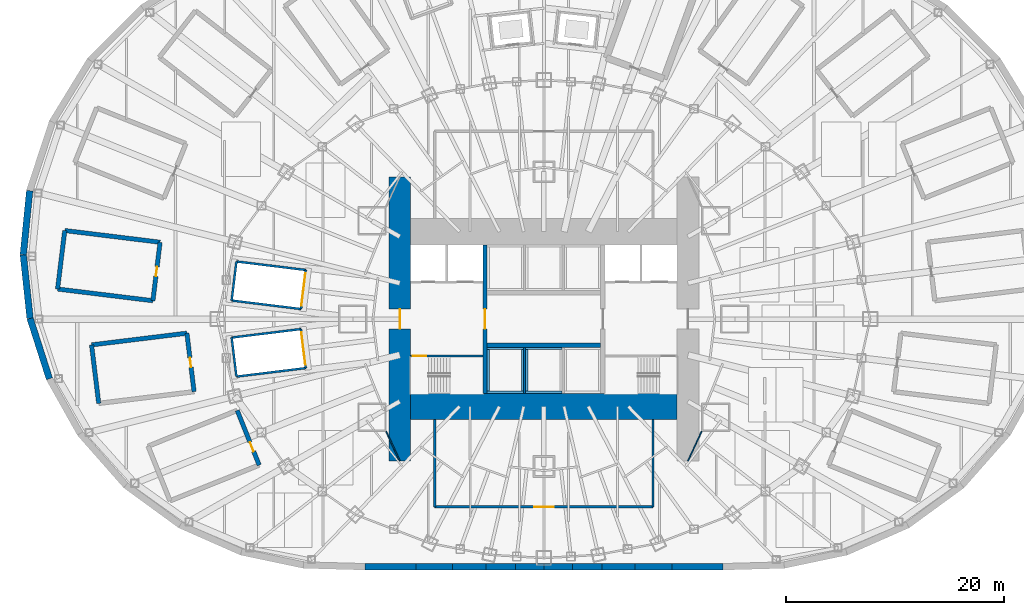
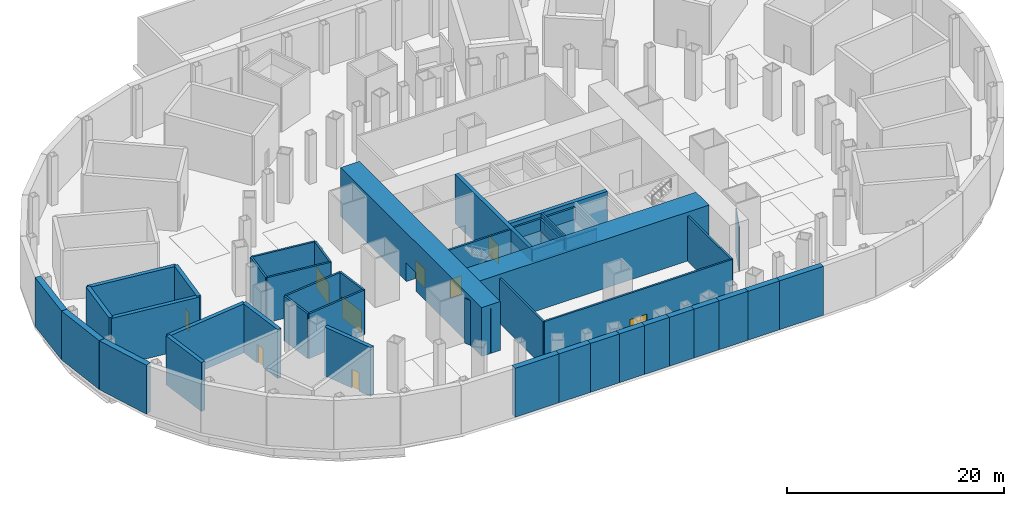
# One storey, part 10 of 19: 47 walls, 9 doors, 9 openings.
"""IFC4 building model written with IfcOpenShell, lengths in metres."""

from ifc_helpers import new_model, si_unit, direction, frame, frame_2d, origin, place, context, subcontext, project, spatial, rectangle, extrude, material, layer, layer_set, type_object, element, fill, save


model = new_model("IFC4")

# Units and contexts
model_context = context("Model", 3, precision=1e-05, world=origin(), true_north=direction((0.0, 1.0)))
body_context = subcontext(model_context, "Body", "Model", "MODEL_VIEW")
ifc_project = project(units=[si_unit("LENGTHUNIT", "METRE"), si_unit("AREAUNIT", "SQUARE_METRE"), si_unit("VOLUMEUNIT", "CUBIC_METRE"), si_unit("PLANEANGLEUNIT", "RADIAN"), si_unit("MASSUNIT", "GRAM", prefix="KILO")], contexts=[model_context])

# Site, building, storey
site_placement = place(None, origin())
site = spatial("IfcSite", under=ifc_project, at=site_placement, CompositionType="ELEMENT")
building_placement = place(site_placement, origin())
building = spatial("IfcBuilding", under=site, at=building_placement, Name="Lantaw Convention Tower", CompositionType="ELEMENT")
storey_placement = place(building_placement, frame((0.0, 0.0, -5.5)))
storey = spatial("IfcBuildingStorey", under=building, at=storey_placement, Name="B1", CompositionType="ELEMENT", Elevation=-5.5)

# Walls
ifc_material_1 = material(Name="Concrete C40/50", Category="concrete")
ifc_layer_1 = layer(ifc_material_1, 0.60009765625)
ifc_layer_set_1 = layer_set([ifc_layer_1], Name="Basement wall 600")
wall_type_1 = type_object("IfcWallType", Name="Basement wall 600", PredefinedType="SOLIDWALL", material=ifc_layer_set_1)
wall_1_placement = place(storey_placement, frame((-47.114501953125, 11.758056640625, 0.0), z_axis=(0.0, 0.0, 1.0), x_axis=(-0.099068856923, -0.99508058045, 0.0)))
element("IfcWall", 1, at=wall_1_placement, inside=storey, type_object=wall_type_1, Name="Basement retaining wall 23", PredefinedType="SOLIDWALL", context=body_context, shape_type="SweptSolid", body=[
    extrude(rectangle(XDim=5.892333984375, YDim=0.60009765625, at=frame_2d((2.9462890625, 0.0))), origin(), (0.0, 0.0, 1.0), 5.5),
])
wall_2_placement = place(storey_placement, frame((-47.6982421875, 5.894775390625, 0.0), z_axis=(0.0, 0.0, 1.0), x_axis=(0.105848228596, -0.994382296958, 0.0)))
element("IfcWall", 2, at=wall_2_placement, inside=storey, type_object=wall_type_1, Name="Basement retaining wall 24", PredefinedType="SOLIDWALL", context=body_context, shape_type="SweptSolid", body=[
    extrude(rectangle(XDim=5.865478515625, YDim=0.60009765625, at=frame_2d((2.9326171875, 0.0))), origin(), (0.0, 0.0, 1.0), 5.5),
])
wall_3_placement = place(storey_placement, frame((-47.077392578125, 0.062255859375, 0.0), z_axis=(0.0, 0.0, 1.0), x_axis=(0.304958517607, -0.9523656349, 0.0)))
element("IfcWall", 3, at=wall_3_placement, inside=storey, type_object=wall_type_1, Name="Basement retaining wall 25", PredefinedType="SOLIDWALL", context=body_context, shape_type="SweptSolid", body=[
    extrude(rectangle(XDim=5.8154296875, YDim=0.60009765625, at=frame_2d((2.90771484375, 0.0))), origin(), (0.0, 0.0, 1.0), 5.5),
])
wall_4_placement = place(storey_placement, frame((-16.4013671875, -22.699951171875, 0.0), z_axis=(0.0, 0.0, 1.0), x_axis=(1.0, 0.0, 0.0)))
element("IfcWall", 4, at=wall_4_placement, inside=storey, type_object=wall_type_1, Name="Basement retaining wall 32", PredefinedType="SOLIDWALL", context=body_context, shape_type="SweptSolid", body=[
    extrude(rectangle(XDim=4.682373046875, YDim=0.60009765625, at=frame_2d((2.34130859375, 0.0))), origin(), (0.0, 0.0, 1.0), 5.5),
])
wall_5_placement = place(storey_placement, frame((-11.718994140625, -22.699951171875, 0.0), z_axis=(0.0, 0.0, 1.0), x_axis=(1.0, 0.0, 0.0)))
element("IfcWall", 5, at=wall_5_placement, inside=storey, type_object=wall_type_1, Name="Basement retaining wall 33", PredefinedType="SOLIDWALL", context=body_context, shape_type="SweptSolid", body=[
    extrude(rectangle(XDim=3.34765625, YDim=0.60009765625, at=frame_2d((1.673828125, 0.0))), origin(), (0.0, 0.0, 1.0), 5.5),
])
wall_6_placement = place(storey_placement, frame((-8.371337890625, -22.699951171875, 0.0), z_axis=(0.0, 0.0, 1.0), x_axis=(1.0, 0.0, 0.0)))
element("IfcWall", 6, at=wall_6_placement, inside=storey, type_object=wall_type_1, Name="Basement retaining wall 34", PredefinedType="SOLIDWALL", context=body_context, shape_type="SweptSolid", body=[
    extrude(rectangle(XDim=3.061279296875, YDim=0.60009765625, at=frame_2d((1.53076171875, 0.0))), origin(), (0.0, 0.0, 1.0), 5.5),
])
wall_7_placement = place(storey_placement, frame((-5.31005859375, -22.699951171875, 0.0), z_axis=(0.0, 0.0, 1.0), x_axis=(1.0, 0.0, 0.0)))
element("IfcWall", 7, at=wall_7_placement, inside=storey, type_object=wall_type_1, Name="Basement retaining wall 35", PredefinedType="SOLIDWALL", context=body_context, shape_type="SweptSolid", body=[
    extrude(rectangle(XDim=2.689453125, YDim=0.60009765625, at=frame_2d((1.3447265625, 0.0))), origin(), (0.0, 0.0, 1.0), 5.5),
])
for number, where, z_axis, x_axis, name in (
    (8, (-2.62060546875, -22.699951171875, 0.0), (0.0, 0.0, 1.0), (1.0, 0.0, 0.0), "Basement retaining wall 36"),
    (9, (0.0, -22.699951171875, 0.0), (0.0, 0.0, 1.0), (1.0, 0.0, 0.0), "Basement retaining wall 37"),
):
    element("IfcWall", number, at=place(storey_placement, frame(where, z_axis=z_axis, x_axis=x_axis)), inside=storey, type_object=wall_type_1, Name=name, PredefinedType="SOLIDWALL", context=body_context, shape_type="SweptSolid", body=[
        extrude(rectangle(XDim=2.62060546875, YDim=0.60009765625, at=frame_2d((1.310302734375, 0.0))), origin(), (0.0, 0.0, 1.0), 5.5),
    ])
wall_8_placement = place(storey_placement, frame((2.62060546875, -22.699951171875, 0.0), z_axis=(0.0, 0.0, 1.0), x_axis=(1.0, 0.0, 0.0)))
element("IfcWall", 10, at=wall_8_placement, inside=storey, type_object=wall_type_1, Name="Basement retaining wall 38", PredefinedType="SOLIDWALL", context=body_context, shape_type="SweptSolid", body=[
    extrude(rectangle(XDim=2.689453125, YDim=0.60009765625, at=frame_2d((1.3447265625, 0.0))), origin(), (0.0, 0.0, 1.0), 5.5),
])
wall_9_placement = place(storey_placement, frame((5.31005859375, -22.699951171875, 0.0), z_axis=(0.0, 0.0, 1.0), x_axis=(1.0, 0.0, 0.0)))
element("IfcWall", 11, at=wall_9_placement, inside=storey, type_object=wall_type_1, Name="Basement retaining wall 39", PredefinedType="SOLIDWALL", context=body_context, shape_type="SweptSolid", body=[
    extrude(rectangle(XDim=3.061279296875, YDim=0.60009765625, at=frame_2d((1.53076171875, 0.0))), origin(), (0.0, 0.0, 1.0), 5.5),
])
wall_10_placement = place(storey_placement, frame((8.371337890625, -22.699951171875, 0.0), z_axis=(0.0, 0.0, 1.0), x_axis=(1.0, 0.0, 0.0)))
element("IfcWall", 12, at=wall_10_placement, inside=storey, type_object=wall_type_1, Name="Basement retaining wall 40", PredefinedType="SOLIDWALL", context=body_context, shape_type="SweptSolid", body=[
    extrude(rectangle(XDim=3.34765625, YDim=0.60009765625, at=frame_2d((1.673828125, 0.0))), origin(), (0.0, 0.0, 1.0), 5.5),
])
wall_11_placement = place(storey_placement, frame((11.718994140625, -22.699951171875, 0.0), z_axis=(0.0, 0.0, 1.0), x_axis=(1.0, 0.0, 0.0)))
element("IfcWall", 13, at=wall_11_placement, inside=storey, type_object=wall_type_1, Name="Basement retaining wall 41", PredefinedType="SOLIDWALL", context=body_context, shape_type="SweptSolid", body=[
    extrude(rectangle(XDim=4.682373046875, YDim=0.60009765625, at=frame_2d((2.34130859375, 0.0))), origin(), (0.0, 0.0, 1.0), 5.5),
])

# Wall, opening, door
ifc_material_2 = material(Name="Concrete C60/75", Category="concrete")
ifc_layer_2 = layer(ifc_material_2, 0.199951171875)
ifc_layer_set_2 = layer_set([ifc_layer_2], Name="Core wall 200")
wall_type_2 = type_object("IfcWallType", Name="Core wall 200", PredefinedType="SHEAR", material=ifc_layer_set_2)
wall_12_placement = place(storey_placement, frame((-5.60009765625, -3.39990234375, 0.0), z_axis=(0.0, 0.0, 1.0), x_axis=(-1.0, 0.0, 0.0)))
wall_12 = element("IfcWall", 14, at=wall_12_placement, inside=storey, type_object=wall_type_2, Name="Core wall WS", PredefinedType="SHEAR", context=body_context, shape_type="SweptSolid", body=[
    extrude(rectangle(XDim=6.599853515625, YDim=0.199951171875, at=frame_2d((3.2998046875, 0.0))), origin(), (0.0, 0.0, 1.0), 5.5),
])
opening_1_placement = place(wall_12_placement, frame((5.199951171875, 0.0, 0.0)))
opening_1 = element("IfcOpeningElement", 15, at=opening_1_placement, cuts=wall_12, Name="Opening B1.04", PredefinedType="OPENING", context=body_context, shape_type="SweptSolid", body=[
    extrude(rectangle(XDim=1.199951171875, YDim=2.10009765625, at=frame_2d((0.60009765625, 1.050048828125))), frame((0.0, 0.10986328125, 0.0), z_axis=(0.0, -1.0, 0.0), x_axis=(1.0, 0.0, 0.0)), (0.0, 0.0, 1.0), 0.219970703125),
])
ifc_material_3 = material(Name="Steel, fire rated", Category="steel")
door_type_1 = type_object("IfcDoorType", Name="Stair door FD90", OperationType="SINGLE_SWING_RIGHT", PredefinedType="DOOR", material=ifc_material_3)
door_1_placement = place(opening_1_placement, origin())
door_1 = element("IfcDoor", 16, at=door_1_placement, inside=storey, type_object=door_type_1, Name="Exit stair door", OperationType="SINGLE_SWING_RIGHT", OverallHeight=2.10009765625, OverallWidth=1.199951171875, PredefinedType="DOOR", context=body_context, shape_type="SweptSolid", body=[
    extrude(rectangle(XDim=1.199951171875, YDim=2.10009765625, at=frame_2d((0.60009765625, 1.050048828125))), frame((0.0, 0.02490234375, 0.0), z_axis=(0.0, -1.0, 0.0), x_axis=(1.0, 0.0, 0.0)), (0.0, 0.0, 1.0), 0.050048828125),
])
fill(opening_1, door_1)

ifc_layer_3 = layer(ifc_material_2, 2.0)
ifc_layer_set_3 = layer_set([ifc_layer_3], Name="Core wall 2000")
wall_type_3 = type_object("IfcWallType", Name="Core wall 2000", PredefinedType="SHEAR", material=ifc_layer_set_3)
wall_13_placement = place(storey_placement, frame((-13.199951171875, 13.0, 0.0), z_axis=(0.0, 0.0, 1.0), x_axis=(0.0, -1.0, 0.0)))
wall_13 = element("IfcWall", 17, at=wall_13_placement, inside=storey, type_object=wall_type_3, Name="Core wall W", PredefinedType="SHEAR", context=body_context, shape_type="SweptSolid", body=[
    extrude(rectangle(XDim=26.0, YDim=2.0, at=frame_2d((13.0, 0.0))), origin(), (0.0, 0.0, 1.0), 5.5),
])
opening_2_placement = place(wall_13_placement, frame((12.10009765625, 0.0, 0.0)))
opening_2 = element("IfcOpeningElement", 18, at=opening_2_placement, cuts=wall_13, Name="Opening B1.06", PredefinedType="OPENING", context=body_context, shape_type="SweptSolid", body=[
    extrude(rectangle(XDim=1.800048828125, YDim=2.10009765625, at=frame_2d((0.89990234375, 1.050048828125))), frame((0.0, 1.010009765625, 0.0), z_axis=(0.0, -1.0, 0.0), x_axis=(1.0, 0.0, 0.0)), (0.0, 0.0, 1.0), 2.02001953125),
])
door_type_2 = type_object("IfcDoorType", Name="Lobby double door FD90", OperationType="DOUBLE_DOOR_DOUBLE_SWING", PredefinedType="DOOR", material=ifc_material_3)
door_2_placement = place(opening_2_placement, origin())
door_2 = element("IfcDoor", 19, at=door_2_placement, inside=storey, type_object=door_type_2, Name="Firefighting lobby door", OperationType="DOUBLE_DOOR_DOUBLE_SWING", OverallHeight=2.10009765625, OverallWidth=1.800048828125, PredefinedType="DOOR", context=body_context, shape_type="SweptSolid", body=[
    extrude(rectangle(XDim=1.800048828125, YDim=2.10009765625, at=frame_2d((0.89990234375, 1.050048828125))), frame((0.0, 0.02490234375, 0.0), z_axis=(0.0, -1.0, 0.0), x_axis=(1.0, 0.0, 0.0)), (0.0, 0.0, 1.0), 0.050048828125),
])
fill(opening_2, door_2)

# Wall
ifc_layer_4 = layer(ifc_material_2, 2.39990234375)
ifc_layer_set_4 = layer_set([ifc_layer_4], Name="Core wall 2400")
wall_type_4 = type_object("IfcWallType", Name="Core wall 2400", PredefinedType="SHEAR", material=ifc_layer_set_4)
wall_14_placement = place(storey_placement, frame((-12.199951171875, -8.0, 0.0), z_axis=(0.0, 0.0, 1.0), x_axis=(1.0, 0.0, 0.0)))
element("IfcWall", 20, at=wall_14_placement, inside=storey, type_object=wall_type_4, Name="Core wall S", PredefinedType="SHEAR", context=body_context, shape_type="SweptSolid", body=[
    extrude(rectangle(XDim=24.39990234375, YDim=2.39990234375, at=frame_2d((12.199951171875, 0.0))), origin(), (0.0, 0.0, 1.0), 5.5),
])

# Wall, opening, door
ifc_layer_5 = layer(ifc_material_2, 0.39990234375)
ifc_layer_set_5 = layer_set([ifc_layer_5], Name="Core wall 400")
wall_type_5 = type_object("IfcWallType", Name="Core wall 400", PredefinedType="SHEAR", material=ifc_layer_set_5)
wall_15_placement = place(storey_placement, frame((-5.39990234375, 6.800048828125, 0.0), z_axis=(0.0, 0.0, 1.0), x_axis=(0.0, -1.0, 0.0)))
wall_15 = element("IfcWall", 21, at=wall_15_placement, inside=storey, type_object=wall_type_5, Name="Core wall XW", PredefinedType="SHEAR", context=body_context, shape_type="SweptSolid", body=[
    extrude(rectangle(XDim=13.60009765625, YDim=0.39990234375, at=frame_2d((6.800048828125, 0.0))), origin(), (0.0, 0.0, 1.0), 5.5),
])
opening_3_placement = place(wall_15_placement, frame((5.89990234375, 0.0, 0.0)))
opening_3 = element("IfcOpeningElement", 22, at=opening_3_placement, cuts=wall_15, Name="Opening B1.02", PredefinedType="OPENING", context=body_context, shape_type="SweptSolid", body=[
    extrude(rectangle(XDim=1.800048828125, YDim=2.10009765625, at=frame_2d((0.89990234375, 1.050048828125))), frame((0.0, 0.2099609375, 0.0), z_axis=(0.0, -1.0, 0.0), x_axis=(1.0, 0.0, 0.0)), (0.0, 0.0, 1.0), 0.419921875),
])
door_3_placement = place(opening_3_placement, origin())
door_3 = element("IfcDoor", 23, at=door_3_placement, inside=storey, type_object=door_type_2, Name="Lift lobby door", OperationType="DOUBLE_DOOR_DOUBLE_SWING", OverallHeight=2.10009765625, OverallWidth=1.800048828125, PredefinedType="DOOR", context=body_context, shape_type="SweptSolid", body=[
    extrude(rectangle(XDim=1.800048828125, YDim=2.10009765625, at=frame_2d((0.89990234375, 1.050048828125))), frame((0.0, 0.02490234375, 0.0), z_axis=(0.0, -1.0, 0.0), x_axis=(1.0, 0.0, 0.0)), (0.0, 0.0, 1.0), 0.050048828125),
])
fill(opening_3, door_3)

# Walls
wall_16_placement = place(storey_placement, frame((-5.199951171875, -2.39990234375, 0.0), z_axis=(0.0, 0.0, 1.0), x_axis=(1.0, 0.0, 0.0)))
element("IfcWall", 24, at=wall_16_placement, inside=storey, type_object=wall_type_5, Name="Core wall BS", PredefinedType="SHEAR", context=body_context, shape_type="SweptSolid", body=[
    extrude(rectangle(XDim=10.39990234375, YDim=0.39990234375, at=frame_2d((5.199951171875, 0.0))), origin(), (0.0, 0.0, 1.0), 5.5),
])
ifc_layer_6 = layer(ifc_material_1, 0.199951171875)
ifc_layer_set_6 = layer_set([ifc_layer_6], Name="Lift pit wall 200")
wall_type_6 = type_object("IfcWallType", Name="Lift pit wall 200", PredefinedType="SOLIDWALL", material=ifc_layer_set_6)
wall_17_placement = place(storey_placement, frame((-5.199951171875, -6.699951171875, 3.699951171875), z_axis=(0.0, 0.0, 1.0), x_axis=(1.0, 0.0, 0.0)))
element("IfcWall", 25, at=wall_17_placement, inside=storey, type_object=wall_type_6, Name="Lift pit wall", PredefinedType="SOLIDWALL", context=body_context, shape_type="SweptSolid", body=[
    extrude(rectangle(XDim=3.333251953125, YDim=0.199951171875, at=frame_2d((1.66650390625, 0.0))), origin(), (0.0, 0.0, 1.0), 1.35009765625),
])
wall_18_placement = place(storey_placement, frame((-1.966552734375, -6.60009765625, 3.699951171875), z_axis=(0.0, 0.0, 1.0), x_axis=(0.0, 1.0, 0.0)))
element("IfcWall", 26, at=wall_18_placement, inside=storey, type_object=wall_type_6, Name="Lift pit wall", PredefinedType="SOLIDWALL", context=body_context, shape_type="SweptSolid", body=[
    extrude(rectangle(XDim=3.800048828125, YDim=0.199951171875, at=frame_2d((1.89990234375, 0.0))), origin(), (0.0, 0.0, 1.0), 1.35009765625),
])
wall_19_placement = place(storey_placement, frame((-1.86669921875, -2.699951171875, 3.699951171875), z_axis=(0.0, 0.0, 1.0), x_axis=(-1.0, 0.0, 0.0)))
element("IfcWall", 27, at=wall_19_placement, inside=storey, type_object=wall_type_6, Name="Lift pit wall", PredefinedType="SOLIDWALL", context=body_context, shape_type="SweptSolid", body=[
    extrude(rectangle(XDim=3.333251953125, YDim=0.199951171875, at=frame_2d((1.66650390625, 0.0))), origin(), (0.0, 0.0, 1.0), 1.35009765625),
])
wall_20_placement = place(storey_placement, frame((-5.10009765625, -2.800048828125, 3.699951171875), z_axis=(0.0, 0.0, 1.0), x_axis=(0.0, -1.0, 0.0)))
element("IfcWall", 28, at=wall_20_placement, inside=storey, type_object=wall_type_6, Name="Lift pit wall", PredefinedType="SOLIDWALL", context=body_context, shape_type="SweptSolid", body=[
    extrude(rectangle(XDim=3.800048828125, YDim=0.199951171875, at=frame_2d((1.89990234375, 0.0))), origin(), (0.0, 0.0, 1.0), 1.35009765625),
])
for number, where, z_axis, x_axis, name in (
    (29, (-1.666748046875, -6.699951171875, 3.699951171875), (0.0, 0.0, 1.0), (1.0, 0.0, 0.0), "Lift pit wall"),
    (30, (1.666748046875, -2.699951171875, 3.699951171875), (0.0, 0.0, 1.0), (-1.0, 0.0, 0.0), "Lift pit wall"),
):
    element("IfcWall", number, at=place(storey_placement, frame(where, z_axis=z_axis, x_axis=x_axis)), inside=storey, type_object=wall_type_6, Name=name, PredefinedType="SOLIDWALL", context=body_context, shape_type="SweptSolid", body=[
        extrude(rectangle(XDim=3.33349609375, YDim=0.199951171875, at=frame_2d((1.666748046875, 0.0))), origin(), (0.0, 0.0, 1.0), 1.35009765625),
    ])
wall_21_placement = place(storey_placement, frame((-1.566650390625, -2.800048828125, 3.699951171875), z_axis=(0.0, 0.0, 1.0), x_axis=(0.0, -1.0, 0.0)))
element("IfcWall", 31, at=wall_21_placement, inside=storey, type_object=wall_type_6, Name="Lift pit wall", PredefinedType="SOLIDWALL", context=body_context, shape_type="SweptSolid", body=[
    extrude(rectangle(XDim=3.800048828125, YDim=0.199951171875, at=frame_2d((1.89990234375, 0.0))), origin(), (0.0, 0.0, 1.0), 1.35009765625),
])
ifc_material_4 = material(Name="Concrete blockwork, fire rated", Category="masonry")
ifc_layer_7 = layer(ifc_material_4, 0.199951171875)
ifc_layer_set_7 = layer_set([ifc_layer_7], Name="Lift shaft wall 200 EI 120")
wall_type_7 = type_object("IfcWallType", Name="Lift shaft wall 200 EI 120", PredefinedType="SOLIDWALL", material=ifc_layer_set_7)
wall_22_placement = place(storey_placement, frame((-21.815185546875, 4.4921875, 0.0), z_axis=(0.0, 0.0, 1.0), x_axis=(-0.992549526583, 0.121841853565, 0.0)))
element("IfcWall", 32, at=wall_22_placement, inside=storey, type_object=wall_type_7, Name="Lift shaft wall", PredefinedType="SOLIDWALL", context=body_context, shape_type="SweptSolid", body=[
    extrude(rectangle(XDim=6.39990234375, YDim=0.199951171875, at=frame_2d((3.199951171875, 0.0))), origin(), (0.0, 0.0, 1.0), 5.050048828125),
])
wall_23_placement = place(storey_placement, frame((-28.16748046875, 5.27197265625, 0.0), z_axis=(0.0, 0.0, 1.0), x_axis=(-0.121872547154, -0.992545758265, 0.0)))
element("IfcWall", 33, at=wall_23_placement, inside=storey, type_object=wall_type_7, Name="Lift shaft wall", PredefinedType="SOLIDWALL", context=body_context, shape_type="SweptSolid", body=[
    extrude(rectangle(XDim=3.599853515625, YDim=0.199951171875, at=frame_2d((1.7998046875, 0.0))), origin(), (0.0, 0.0, 1.0), 5.050048828125),
])
wall_24_placement = place(storey_placement, frame((-28.606201171875, 1.698974609375, 0.0), z_axis=(0.0, 0.0, 1.0), x_axis=(0.992544912608, -0.121879434097, 0.0)))
element("IfcWall", 34, at=wall_24_placement, inside=storey, type_object=wall_type_7, Name="Lift shaft wall", PredefinedType="SOLIDWALL", context=body_context, shape_type="SweptSolid", body=[
    extrude(rectangle(XDim=6.39990234375, YDim=0.199951171875, at=frame_2d((3.199951171875, 0.0))), origin(), (0.0, 0.0, 1.0), 5.050048828125),
])

# Wall, opening, door
wall_25_placement = place(storey_placement, frame((-22.25390625, 0.9189453125, 0.0), z_axis=(0.0, 0.0, 1.0), x_axis=(0.121864343918, 0.992546765488, 0.0)))
wall_25 = element("IfcWall", 35, at=wall_25_placement, inside=storey, type_object=wall_type_7, Name="Lift shaft wall", PredefinedType="SOLIDWALL", context=body_context, shape_type="SweptSolid", body=[
    extrude(rectangle(XDim=3.60009765625, YDim=0.199951171875, at=frame_2d((1.800048828125, 0.0))), origin(), (0.0, 0.0, 1.0), 5.050048828125),
])
opening_4_placement = place(wall_25_placement, frame((0.300048828125, 0.0, 0.0)))
opening_4 = element("IfcOpeningElement", 36, at=opening_4_placement, cuts=wall_25, Name="Opening LDCL1", PredefinedType="OPENING", context=body_context, shape_type="SweptSolid", body=[
    extrude(rectangle(XDim=3.0, YDim=2.39990234375, at=frame_2d((1.5, 1.199951171875))), frame((0.0, 0.10986328125, 0.0), z_axis=(0.0, -1.0, 0.0), x_axis=(1.0, 0.0, 0.0)), (0.0, 0.0, 1.0), 0.219970703125),
])
ifc_material_5 = material(Name="Stainless steel", Category="steel")
door_type_3 = type_object("IfcDoorType", Name="Car lift gate 3000x2400", OperationType="DOUBLE_DOOR_SLIDING", PredefinedType="DOOR", material=ifc_material_5)
door_4_placement = place(opening_4_placement, origin())
door_4 = element("IfcDoor", 37, at=door_4_placement, inside=storey, type_object=door_type_3, Name="Lift landing door CL1", OperationType="DOUBLE_DOOR_SLIDING", OverallHeight=2.39990234375, OverallWidth=3.0, PredefinedType="DOOR", context=body_context, shape_type="SweptSolid", body=[
    extrude(rectangle(XDim=3.0, YDim=2.39990234375, at=frame_2d((1.5, 1.199951171875))), frame((0.0, 0.02490234375, 0.0), z_axis=(0.0, -1.0, 0.0), x_axis=(1.0, 0.0, 0.0)), (0.0, 0.0, 1.0), 0.050048828125),
])
fill(opening_4, door_4)

# Walls
wall_26_placement = place(storey_placement, frame((-22.25390625, -0.9189453125, 0.0), z_axis=(0.0, 0.0, 1.0), x_axis=(-0.992544912608, -0.121879434097, 0.0)))
element("IfcWall", 38, at=wall_26_placement, inside=storey, type_object=wall_type_7, Name="Lift shaft wall", PredefinedType="SOLIDWALL", context=body_context, shape_type="SweptSolid", body=[
    extrude(rectangle(XDim=6.39990234375, YDim=0.199951171875, at=frame_2d((3.199951171875, 0.0))), origin(), (0.0, 0.0, 1.0), 5.050048828125),
])
wall_27_placement = place(storey_placement, frame((-28.606201171875, -1.698974609375, 0.0), z_axis=(0.0, 0.0, 1.0), x_axis=(0.121872547154, -0.992545758265, 0.0)))
element("IfcWall", 39, at=wall_27_placement, inside=storey, type_object=wall_type_7, Name="Lift shaft wall", PredefinedType="SOLIDWALL", context=body_context, shape_type="SweptSolid", body=[
    extrude(rectangle(XDim=3.599853515625, YDim=0.199951171875, at=frame_2d((1.7998046875, 0.0))), origin(), (0.0, 0.0, 1.0), 5.050048828125),
])
wall_28_placement = place(storey_placement, frame((-28.16748046875, -5.27197265625, 0.0), z_axis=(0.0, 0.0, 1.0), x_axis=(0.992549526583, 0.121841853565, 0.0)))
element("IfcWall", 40, at=wall_28_placement, inside=storey, type_object=wall_type_7, Name="Lift shaft wall", PredefinedType="SOLIDWALL", context=body_context, shape_type="SweptSolid", body=[
    extrude(rectangle(XDim=6.39990234375, YDim=0.199951171875, at=frame_2d((3.199951171875, 0.0))), origin(), (0.0, 0.0, 1.0), 5.050048828125),
])

# Wall, opening, door
wall_29_placement = place(storey_placement, frame((-21.815185546875, -4.4921875, 0.0), z_axis=(0.0, 0.0, 1.0), x_axis=(-0.121864343918, 0.992546765488, 0.0)))
wall_29 = element("IfcWall", 41, at=wall_29_placement, inside=storey, type_object=wall_type_7, Name="Lift shaft wall", PredefinedType="SOLIDWALL", context=body_context, shape_type="SweptSolid", body=[
    extrude(rectangle(XDim=3.60009765625, YDim=0.199951171875, at=frame_2d((1.800048828125, 0.0))), origin(), (0.0, 0.0, 1.0), 5.050048828125),
])
opening_5_placement = place(wall_29_placement, frame((0.300048828125, 0.0, 0.0)))
opening_5 = element("IfcOpeningElement", 42, at=opening_5_placement, cuts=wall_29, Name="Opening LDCL2", PredefinedType="OPENING", context=body_context, shape_type="SweptSolid", body=[
    extrude(rectangle(XDim=3.0, YDim=2.39990234375, at=frame_2d((1.5, 1.199951171875))), frame((0.0, 0.10986328125, 0.0), z_axis=(0.0, -1.0, 0.0), x_axis=(1.0, 0.0, 0.0)), (0.0, 0.0, 1.0), 0.219970703125),
])
door_5_placement = place(opening_5_placement, origin())
door_5 = element("IfcDoor", 43, at=door_5_placement, inside=storey, type_object=door_type_3, Name="Lift landing door CL2", OperationType="DOUBLE_DOOR_SLIDING", OverallHeight=2.39990234375, OverallWidth=3.0, PredefinedType="DOOR", context=body_context, shape_type="SweptSolid", body=[
    extrude(rectangle(XDim=3.0, YDim=2.39990234375, at=frame_2d((1.5, 1.199951171875))), frame((0.0, 0.02490234375, 0.0), z_axis=(0.0, -1.0, 0.0), x_axis=(1.0, 0.0, 0.0)), (0.0, 0.0, 1.0), 0.050048828125),
])
fill(opening_5, door_5)

# Walls
ifc_material_6 = material(Name="Gypsum board on steel studs, acoustic", Category="steel")
ifc_layer_8 = layer(ifc_material_6, 0.10009765625)
ifc_layer_set_8 = layer_set([ifc_layer_8], Name="Office partition 100")
wall_type_8 = type_object("IfcWallType", Name="Office partition 100", PredefinedType="PARTITIONING", material=ifc_layer_set_8)
for number, where, z_axis, x_axis, name in (
    (44, (13.199951171875, -13.0, 0.0), (0.0, 0.0, 1.0), (0.420129824888, 0.907464010437, 0.0), "Office partition 100"),
    (45, (-13.199951171875, -13.0, 0.0), (0.0, 0.0, 1.0), (-0.420129824888, 0.907464010437, 0.0), "Office partition 100"),
):
    element("IfcWall", number, at=place(storey_placement, frame(where, z_axis=z_axis, x_axis=x_axis)), inside=storey, type_object=wall_type_8, Name=name, PredefinedType="PARTITIONING", context=body_context, shape_type="SweptSolid", body=[
        extrude(rectangle(XDim=2.975341796875, YDim=0.10009765625, at=frame_2d((1.48779296875, 0.0))), origin(), (0.0, 0.0, 1.0), 5.050048828125),
    ])

# Wall, opening, door
ifc_layer_9 = layer(ifc_material_4, 0.199951171875)
ifc_layer_set_9 = layer_set([ifc_layer_9], Name="Plant room wall 200 EI 120")
wall_type_9 = type_object("IfcWallType", Name="Plant room wall 200 EI 120", PredefinedType="SOLIDWALL", material=ifc_layer_set_9)
wall_30_placement = place(storey_placement, frame((-10.0, -17.199951171875, 0.0), z_axis=(0.0, 0.0, 1.0), x_axis=(1.0, 0.0, 0.0)))
wall_30 = element("IfcWall", 46, at=wall_30_placement, inside=storey, type_object=wall_type_9, Name="Plant room wall 200", PredefinedType="SOLIDWALL", context=body_context, shape_type="SweptSolid", body=[
    extrude(rectangle(XDim=20.0, YDim=0.199951171875, at=frame_2d((10.0, 0.0))), origin(), (0.0, 0.0, 1.0), 5.050048828125),
])
opening_6_placement = place(wall_30_placement, frame((9.10009765625, 0.0, 0.0)))
opening_6 = element("IfcOpeningElement", 47, at=opening_6_placement, cuts=wall_30, Name="Opening B1.12", PredefinedType="OPENING", context=body_context, shape_type="SweptSolid", body=[
    extrude(rectangle(XDim=1.800048828125, YDim=2.10009765625, at=frame_2d((0.89990234375, 1.050048828125))), frame((0.0, 0.10986328125, 0.0), z_axis=(0.0, -1.0, 0.0), x_axis=(1.0, 0.0, 0.0)), (0.0, 0.0, 1.0), 0.219970703125),
])
door_type_4 = type_object("IfcDoorType", Name="Plant room double door FD90", OperationType="DOUBLE_DOOR_DOUBLE_SWING", PredefinedType="DOOR", material=ifc_material_3)
door_6_placement = place(opening_6_placement, origin())
door_6 = element("IfcDoor", 48, at=door_6_placement, inside=storey, type_object=door_type_4, Name="Generator room door", OperationType="DOUBLE_DOOR_DOUBLE_SWING", OverallHeight=2.10009765625, OverallWidth=1.800048828125, PredefinedType="DOOR", context=body_context, shape_type="SweptSolid", body=[
    extrude(rectangle(XDim=1.800048828125, YDim=2.10009765625, at=frame_2d((0.89990234375, 1.050048828125))), frame((0.0, 0.02490234375, 0.0), z_axis=(0.0, -1.0, 0.0), x_axis=(1.0, 0.0, 0.0)), (0.0, 0.0, 1.0), 0.050048828125),
])
fill(opening_6, door_6)

# Walls
for number, where, z_axis, x_axis, name in (
    (49, (-10.0, -9.199951171875, 0.0), (0.0, 0.0, 1.0), (0.0, -1.0, 0.0), "Plant room wall 200"),
    (50, (10.0, -9.199951171875, 0.0), (0.0, 0.0, 1.0), (0.0, -1.0, 0.0), "Plant room wall 200"),
):
    element("IfcWall", number, at=place(storey_placement, frame(where, z_axis=z_axis, x_axis=x_axis)), inside=storey, type_object=wall_type_9, Name=name, PredefinedType="SOLIDWALL", context=body_context, shape_type="SweptSolid", body=[
        extrude(rectangle(XDim=8.0, YDim=0.199951171875, at=frame_2d((4.0, 0.0))), origin(), (0.0, 0.0, 1.0), 5.050048828125),
    ])
ifc_layer_10 = layer(ifc_material_4, 0.199951171875)
ifc_layer_set_10 = layer_set([ifc_layer_10], Name="Shaft wall 200 load-bearing")
wall_type_10 = type_object("IfcWallType", Name="Shaft wall 200 load-bearing", PredefinedType="SOLIDWALL", material=ifc_layer_set_10)
wall_31_placement = place(storey_placement, frame((-1.7666015625, -2.60009765625, 0.0), z_axis=(0.0, 0.0, 1.0), x_axis=(0.0, -1.0, 0.0)))
element("IfcWall", 51, at=wall_31_placement, inside=storey, type_object=wall_type_10, Name="Shaft wall DS1", PredefinedType="SOLIDWALL", context=body_context, shape_type="SweptSolid", body=[
    extrude(rectangle(XDim=4.199951171875, YDim=0.199951171875, at=frame_2d((2.10009765625, 0.0))), origin(), (0.0, 0.0, 1.0), 5.5),
])
ifc_material_7 = material(Name="Concrete C40/50, stair core", Category="concrete")
ifc_layer_11 = layer(ifc_material_7, 0.39990234375)
ifc_layer_set_11 = layer_set([ifc_layer_11], Name="Stair core wall 400 EI 120")
wall_type_11 = type_object("IfcWallType", Name="Stair core wall 400 EI 120", PredefinedType="SHEAR", material=ifc_layer_set_11)
wall_32_placement = place(storey_placement, frame((-35.164794921875, 7.037841796875, 0.0), z_axis=(0.0, 0.0, 1.0), x_axis=(-0.992545280606, 0.121876437212, 0.0)))
element("IfcWall", 52, at=wall_32_placement, inside=storey, type_object=wall_type_11, Name="Stair core wall 400", PredefinedType="SHEAR", context=body_context, shape_type="SweptSolid", body=[
    extrude(rectangle(XDim=8.800048828125, YDim=0.39990234375, at=frame_2d((4.39990234375, 0.0))), origin(), (0.0, 0.0, 1.0), 5.5),
])
wall_33_placement = place(storey_placement, frame((-43.899169921875, 8.1103515625, 0.0), z_axis=(0.0, 0.0, 1.0), x_axis=(-0.12184754212, -0.99254882826, 0.0)))
element("IfcWall", 53, at=wall_33_placement, inside=storey, type_object=wall_type_11, Name="Stair core wall 400", PredefinedType="SHEAR", context=body_context, shape_type="SweptSolid", body=[
    extrude(rectangle(XDim=5.39990234375, YDim=0.39990234375, at=frame_2d((2.699951171875, 0.0))), origin(), (0.0, 0.0, 1.0), 5.5),
])
wall_34_placement = place(storey_placement, frame((-44.55712890625, 2.750732421875, 0.0), z_axis=(0.0, 0.0, 1.0), x_axis=(0.992545280606, -0.121876437212, 0.0)))
element("IfcWall", 54, at=wall_34_placement, inside=storey, type_object=wall_type_11, Name="Stair core wall 400", PredefinedType="SHEAR", context=body_context, shape_type="SweptSolid", body=[
    extrude(rectangle(XDim=8.800048828125, YDim=0.39990234375, at=frame_2d((4.39990234375, 0.0))), origin(), (0.0, 0.0, 1.0), 5.5),
])

# Wall, opening, door
wall_35_placement = place(storey_placement, frame((-35.82275390625, 1.67822265625, 0.0), z_axis=(0.0, 0.0, 1.0), x_axis=(0.12184754212, 0.99254882826, 0.0)))
wall_35 = element("IfcWall", 55, at=wall_35_placement, inside=storey, type_object=wall_type_11, Name="Stair core wall 400", PredefinedType="SHEAR", context=body_context, shape_type="SweptSolid", body=[
    extrude(rectangle(XDim=5.39990234375, YDim=0.39990234375, at=frame_2d((2.699951171875, 0.0))), origin(), (0.0, 0.0, 1.0), 5.5),
])
opening_7_placement = place(wall_35_placement, frame((2.25, 0.0, 0.0)))
opening_7 = element("IfcOpeningElement", 56, at=opening_7_placement, cuts=wall_35, Name="Opening B1.21", PredefinedType="OPENING", context=body_context, shape_type="SweptSolid", body=[
    extrude(rectangle(XDim=0.89990234375, YDim=2.10009765625, at=frame_2d((0.449951171875, 1.050048828125))), frame((0.0, 0.2099609375, 0.0), z_axis=(0.0, -1.0, 0.0), x_axis=(1.0, 0.0, 0.0)), (0.0, 0.0, 1.0), 0.419921875),
])
door_type_5 = type_object("IfcDoorType", Name="Store door 900 FD60", OperationType="SINGLE_SWING_LEFT", PredefinedType="DOOR", material=ifc_material_3)
door_7_placement = place(opening_7_placement, origin())
door_7 = element("IfcDoor", 57, at=door_7_placement, inside=storey, type_object=door_type_5, Name="Store door", OperationType="SINGLE_SWING_LEFT", OverallHeight=2.10009765625, OverallWidth=0.89990234375, PredefinedType="DOOR", context=body_context, shape_type="SweptSolid", body=[
    extrude(rectangle(XDim=0.89990234375, YDim=2.10009765625, at=frame_2d((0.449951171875, 1.050048828125))), frame((0.0, 0.02490234375, 0.0), z_axis=(0.0, -1.0, 0.0), x_axis=(1.0, 0.0, 0.0)), (0.0, 0.0, 1.0), 0.050048828125),
])
fill(opening_7, door_7)

# Walls
wall_36_placement = place(storey_placement, frame((-32.70849609375, -1.2958984375, 0.0), z_axis=(0.0, 0.0, 1.0), x_axis=(-0.992545692684, -0.121873081252, 0.0)))
element("IfcWall", 58, at=wall_36_placement, inside=storey, type_object=wall_type_11, Name="Stair core wall 400", PredefinedType="SHEAR", context=body_context, shape_type="SweptSolid", body=[
    extrude(rectangle(XDim=8.80029296875, YDim=0.39990234375, at=frame_2d((4.400146484375, 0.0))), origin(), (0.0, 0.0, 1.0), 5.5),
])
wall_37_placement = place(storey_placement, frame((-41.443115234375, -2.368408203125, 0.0), z_axis=(0.0, 0.0, 1.0), x_axis=(0.121892082937, -0.992543359314, 0.0)))
element("IfcWall", 59, at=wall_37_placement, inside=storey, type_object=wall_type_11, Name="Stair core wall 400", PredefinedType="SHEAR", context=body_context, shape_type="SweptSolid", body=[
    extrude(rectangle(XDim=5.39990234375, YDim=0.39990234375, at=frame_2d((2.699951171875, 0.0))), origin(), (0.0, 0.0, 1.0), 5.5),
])

# Wall, opening, door
wall_38_placement = place(storey_placement, frame((-32.050537109375, -6.655517578125, 0.0), z_axis=(0.0, 0.0, 1.0), x_axis=(-0.12184754212, 0.99254882826, 0.0)))
wall_38 = element("IfcWall", 60, at=wall_38_placement, inside=storey, type_object=wall_type_11, Name="Stair core wall 400", PredefinedType="SHEAR", context=body_context, shape_type="SweptSolid", body=[
    extrude(rectangle(XDim=5.39990234375, YDim=0.39990234375, at=frame_2d((2.699951171875, 0.0))), origin(), (0.0, 0.0, 1.0), 5.5),
])
opening_8_placement = place(wall_38_placement, frame((2.25, 0.0, 0.0)))
opening_8 = element("IfcOpeningElement", 61, at=opening_8_placement, cuts=wall_38, Name="Opening B1.22", PredefinedType="OPENING", context=body_context, shape_type="SweptSolid", body=[
    extrude(rectangle(XDim=0.89990234375, YDim=2.10009765625, at=frame_2d((0.449951171875, 1.050048828125))), frame((0.0, 0.2099609375, 0.0), z_axis=(0.0, -1.0, 0.0), x_axis=(1.0, 0.0, 0.0)), (0.0, 0.0, 1.0), 0.419921875),
])
door_8_placement = place(opening_8_placement, origin())
door_8 = element("IfcDoor", 62, at=door_8_placement, inside=storey, type_object=door_type_5, Name="Store door", OperationType="SINGLE_SWING_LEFT", OverallHeight=2.10009765625, OverallWidth=0.89990234375, PredefinedType="DOOR", context=body_context, shape_type="SweptSolid", body=[
    extrude(rectangle(XDim=0.89990234375, YDim=2.10009765625, at=frame_2d((0.449951171875, 1.050048828125))), frame((0.0, 0.02490234375, 0.0), z_axis=(0.0, -1.0, 0.0), x_axis=(1.0, 0.0, 0.0)), (0.0, 0.0, 1.0), 0.050048828125),
])
fill(opening_8, door_8)

wall_39_placement = place(storey_placement, frame((-26.0869140625, -13.3818359375, 0.0), z_axis=(0.0, 0.0, 1.0), x_axis=(-0.372544066459, 0.928014503414, 0.0)))
wall_39 = element("IfcWall", 63, at=wall_39_placement, inside=storey, type_object=wall_type_11, Name="Stair core wall 400", PredefinedType="SHEAR", context=body_context, shape_type="SweptSolid", body=[
    extrude(rectangle(XDim=5.39990234375, YDim=0.39990234375, at=frame_2d((2.699951171875, 0.0))), origin(), (0.0, 0.0, 1.0), 5.5),
])
opening_9_placement = place(wall_39_placement, frame((1.35009765625, 0.0, 0.0)))
opening_9 = element("IfcOpeningElement", 64, at=opening_9_placement, cuts=wall_39, Name="Opening B1.23", PredefinedType="OPENING", context=body_context, shape_type="SweptSolid", body=[
    extrude(rectangle(XDim=0.89990234375, YDim=2.10009765625, at=frame_2d((0.449951171875, 1.050048828125))), frame((0.0, 0.2099609375, 0.0), z_axis=(0.0, -1.0, 0.0), x_axis=(1.0, 0.0, 0.0)), (0.0, 0.0, 1.0), 0.419921875),
])
door_9_placement = place(opening_9_placement, origin())
door_9 = element("IfcDoor", 65, at=door_9_placement, inside=storey, type_object=door_type_5, Name="Store door", OperationType="SINGLE_SWING_LEFT", OverallHeight=2.10009765625, OverallWidth=0.89990234375, PredefinedType="DOOR", context=body_context, shape_type="SweptSolid", body=[
    extrude(rectangle(XDim=0.89990234375, YDim=2.10009765625, at=frame_2d((0.449951171875, 1.050048828125))), frame((0.0, 0.02490234375, 0.0), z_axis=(0.0, -1.0, 0.0), x_axis=(1.0, 0.0, 0.0)), (0.0, 0.0, 1.0), 0.050048828125),
])
fill(opening_9, door_9)

save(model, "model.ifc")
